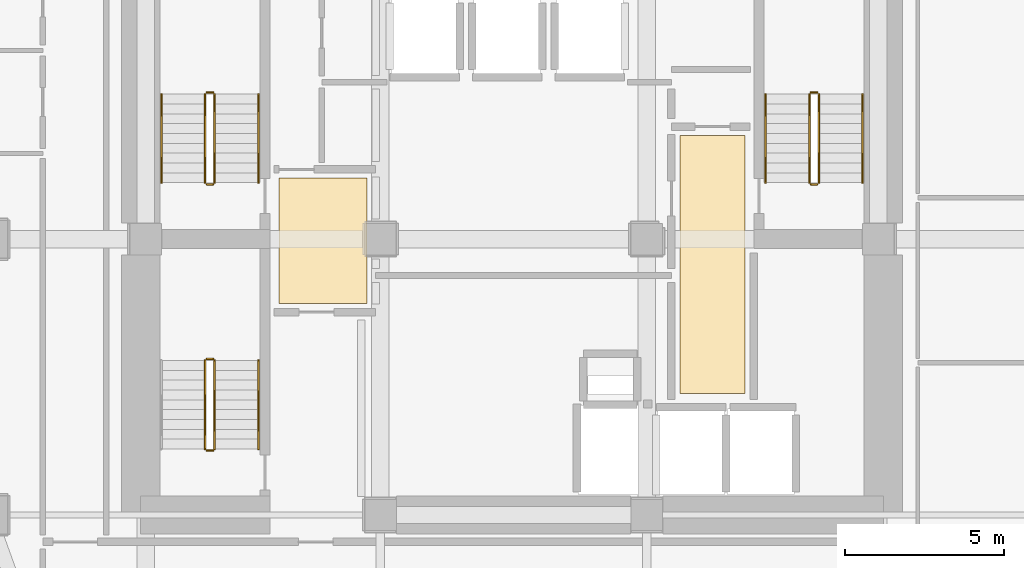
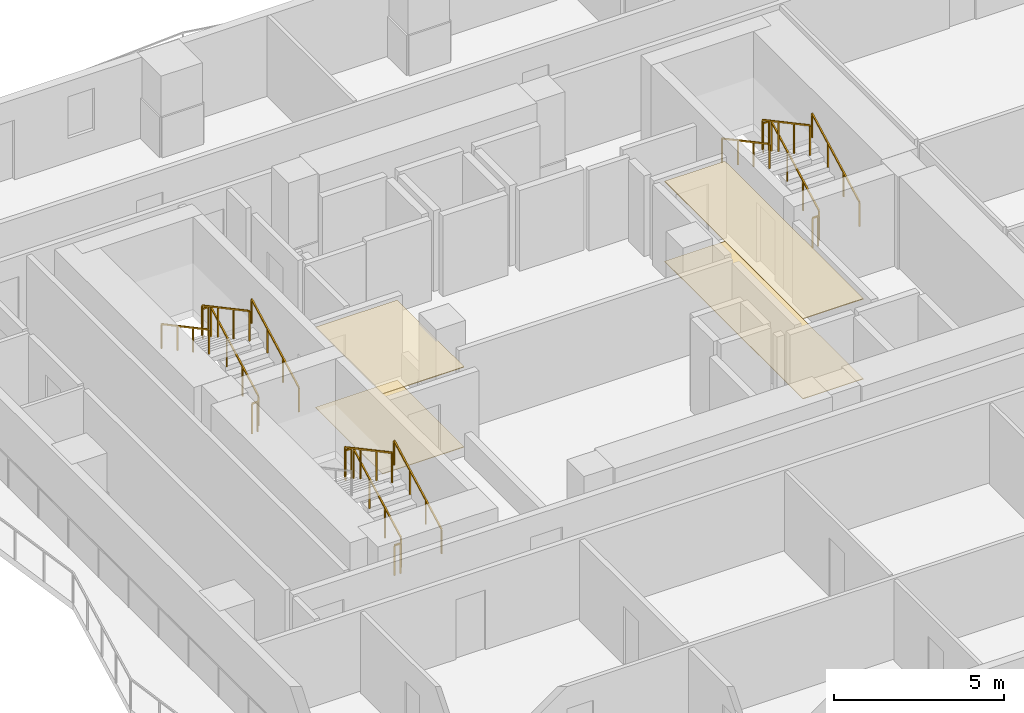
# One storey, part 8 of 9: 17 railings, 4 coverings.
"""IFC4 building model written with IfcOpenShell, lengths in metres."""

import ifcopenshell
import ifcopenshell.guid

model = None  # the IFC model being written
_history = None  # IfcOwnerHistory: only IFC2X3 demands one
_inside = {}  # id of a spatial element -> (the spatial element, [elements in it])
_under = {}  # id of a project, library or spatial element -> (it, [spatial elements below it])
_declared = {}  # id of a project -> (the project, [libraries it declares])
_typed = {}  # id of a type object -> (the type object, [elements of that type])
_made_of = {}  # id of a material, layer set ... -> (it, [elements and type objects made of it])


def new_model(schema):
    """Start an empty IFC model of exactly this schema.

    Asked for "IFC4X3", IfcOpenShell would pick the latest addendum, in which some entities
    have other attributes; the version numbers below select the first issue.
    IFC2X3 requires an IfcOwnerHistory on every rooted entity: one is made here for all.
    """
    global model, _history
    if schema == "IFC4X3":
        model = ifcopenshell.file(schema_version=(4, 3, 0, 0))
    else:
        model = ifcopenshell.file(schema=schema)
    _inside.clear()
    _under.clear()
    _declared.clear()
    _typed.clear()
    _made_of.clear()
    _history = None
    if model.schema == "IFC2X3":
        org = make("IfcOrganization", Name="unknown")
        user = make(
            "IfcPersonAndOrganization",
            ThePerson=make("IfcPerson", FamilyName="unknown"),
            TheOrganization=org,
        )
        app = make(
            "IfcApplication",
            ApplicationDeveloper=org,
            Version="unknown",
            ApplicationFullName="unknown",
            ApplicationIdentifier="unknown",
        )
        _history = make(
            "IfcOwnerHistory",
            OwningUser=user,
            OwningApplication=app,
            ChangeAction="ADDED",
            CreationDate=0,
        )
    return model


def make(cls, **values):
    """One entity of the class cls with the attributes given. An attribute that is None is left unset."""
    return model.create_entity(
        cls, **{name: value for name, value in values.items() if value is not None}
    )


def rooted(cls, **values):
    """An entity with a GlobalId (a new one), such as an element, a storey or a relation."""
    return make(cls, GlobalId=ifcopenshell.guid.new(), OwnerHistory=_history, **values)


def si_unit(unit_type, name, prefix=None):
    """IfcSIUnit, for example si_unit("LENGTHUNIT", "METRE", prefix="MILLI")."""
    return make("IfcSIUnit", UnitType=unit_type, Prefix=prefix, Name=name)


def assignment(units):
    """IfcUnitAssignment: the units of a project."""
    return None if units is None else make("IfcUnitAssignment", Units=units)


def point(xyz):
    """IfcCartesianPoint."""
    return None if xyz is None else make("IfcCartesianPoint", Coordinates=xyz)


def direction(xyz):
    """IfcDirection."""
    return None if xyz is None else make("IfcDirection", DirectionRatios=xyz)


def frame(location, z_axis=None, x_axis=None):
    """IfcAxis2Placement3D, a coordinate frame: its origin and axes. An axis left out is left unset."""
    return make(
        "IfcAxis2Placement3D",
        Location=point(location),
        Axis=direction(z_axis),
        RefDirection=direction(x_axis),
    )


def frame_2d(location, x_axis=None):
    """IfcAxis2Placement2D, a coordinate frame in the plane: its origin and x axis."""
    return make(
        "IfcAxis2Placement2D", Location=point(location), RefDirection=direction(x_axis)
    )


def origin():
    """The frame at (0, 0, 0) with its axes left unset."""
    return frame((0.0, 0.0, 0.0))


def origin_2d():
    """The frame at (0, 0) in the plane with its x axis left unset."""
    return frame_2d((0.0, 0.0))


def place(relative_to, where):
    """IfcLocalPlacement: puts the frame where relative to a parent placement (None: the world)."""
    return make(
        "IfcLocalPlacement", PlacementRelTo=relative_to, RelativePlacement=where
    )


def context(
    kind, dimensions, precision=None, world=None, true_north=None, identifier=None
):
    """IfcGeometricRepresentationContext, for example the 3D "Model" context."""
    return make(
        "IfcGeometricRepresentationContext",
        ContextIdentifier=identifier,
        ContextType=kind,
        CoordinateSpaceDimension=dimensions,
        Precision=precision,
        WorldCoordinateSystem=world,
        TrueNorth=true_north,
    )


def subcontext(parent, identifier, kind, view, scale=None):
    """IfcGeometricRepresentationSubContext, for example "Body" below "Model"."""
    return make(
        "IfcGeometricRepresentationSubContext",
        ContextIdentifier=identifier,
        ContextType=kind,
        ParentContext=parent,
        TargetScale=scale,
        TargetView=view,
    )


def project(units=None, contexts=None):
    """IfcProject with its units and contexts."""
    return rooted(
        "IfcProject",
        Name="project",
        RepresentationContexts=contexts,
        UnitsInContext=assignment(units),
    )


def spatial(cls, under=None, at=None, **own):
    """A site, building, storey or space (cls), placed at a placement, below another one or the project."""
    s = rooted(cls, ObjectPlacement=at, **own)
    if under is not None:
        _under.setdefault(under.id(), (under, []))[1].append(s)
    return s


def polyline(points):
    """IfcPolyline through the points."""
    return make("IfcPolyline", Points=[point(p) for p in points])


def profile(cls, at=None, kind="AREA", **sizes):
    """A parametric profile (cls). Its sizes go by their IFC names, for example OverallWidth=200.0."""
    return make(cls, ProfileType=kind, Position=at, **sizes)


def rectangle(**sizes):
    """IfcRectangleProfileDef."""
    return profile("IfcRectangleProfileDef", **sizes)


def outline(outer, holes=None, kind="AREA"):
    """IfcArbitraryClosedProfileDef: a profile drawn as a closed curve; with holes, ...WithVoids."""
    if holes is None:
        return make("IfcArbitraryClosedProfileDef", ProfileType=kind, OuterCurve=outer)
    return make(
        "IfcArbitraryProfileDefWithVoids",
        ProfileType=kind,
        OuterCurve=outer,
        InnerCurves=holes,
    )


def extrude(swept, where, along, depth):
    """IfcExtrudedAreaSolid: the profile swept, set in the frame where, extruded along a direction by depth."""
    return make(
        "IfcExtrudedAreaSolid",
        SweptArea=swept,
        Position=where,
        ExtrudedDirection=direction(along),
        Depth=depth,
    )


def shape(context_of_items, identifier, shape_type, items):
    """IfcShapeRepresentation: the items that make up one representation, for example the "Body"."""
    return make(
        "IfcShapeRepresentation",
        ContextOfItems=context_of_items,
        RepresentationIdentifier=identifier,
        RepresentationType=shape_type,
        Items=items,
    )


def material(Name=None, Category=None):
    """IfcMaterial."""
    return make("IfcMaterial", Name=Name, Category=Category)


def layer(
    of_material, thickness, ventilated=None, Name=None, Category=None, Priority=None
):
    """IfcMaterialLayer: one layer of a wall or slab, of a material (None: an air gap)."""
    return make(
        "IfcMaterialLayer",
        Material=of_material,
        LayerThickness=thickness,
        IsVentilated=ventilated,
        Name=Name,
        Category=Category,
        Priority=Priority,
    )


def layer_set(layers, Name=None):
    """IfcMaterialLayerSet."""
    return make("IfcMaterialLayerSet", MaterialLayers=layers, LayerSetName=Name)


def made_of(thing, what):
    """Note that an element or type object is made of a material, layer set ...; save() writes the relation."""
    if what is not None:
        _made_of.setdefault(what.id(), (what, []))[1].append(thing)
    return thing


def type_object(cls, material=None, **own):
    """A type object (cls), such as IfcWallType, which elements share."""
    return made_of(rooted(cls, **own), material)


def element(
    cls,
    number,
    at=None,
    inside=None,
    cuts=None,
    type_object=None,
    material=None,
    context=None,
    identifier="Body",
    shape_type=None,
    held_by="IfcProductDefinitionShape",
    body=None,
    shapes=None,
    **own,
):
    """One element of the class cls, such as IfcWall. Its Tag is "e" and its number.

    at: its placement. inside: the storey or other place that contains it. cuts: it is an
    opening in that element (IfcRelVoidsElement). A single representation is given by context,
    identifier, shape_type and body (its items); several are given by shapes. held_by: the class
    of the entity that holds the representations. save() writes the other relations.
    """
    e = rooted(cls, Tag="e%d" % number, ObjectPlacement=at, **own)
    if body is not None:
        shapes = [shape(context, identifier, shape_type, body)]
    if shapes is not None:
        e.Representation = make(held_by, Representations=shapes)
    if inside is not None:
        _inside.setdefault(inside.id(), (inside, []))[1].append(e)
    if cuts is not None:
        rooted(
            "IfcRelVoidsElement", RelatingBuildingElement=cuts, RelatedOpeningElement=e
        )
    if type_object is not None:
        _typed.setdefault(type_object.id(), (type_object, []))[1].append(e)
    return made_of(e, material)


def aggregate(whole, parts):
    """IfcRelAggregates: a whole, such as a stair, and the parts it consists of."""
    return rooted("IfcRelAggregates", RelatingObject=whole, RelatedObjects=parts)


def save(model, path):
    """Write the relations noted so far, then the file.

    IfcRelAggregates (storeys below a building ...), IfcRelContainedInSpatialStructure (elements
    in a storey), IfcRelDefinesByType, IfcRelAssociatesMaterial and IfcRelDeclares: one each for
    every whole, place, type object, material and project.
    """
    for whole, parts in _under.values():
        aggregate(whole, parts)
    for where, things in _inside.values():
        rooted(
            "IfcRelContainedInSpatialStructure",
            RelatedElements=things,
            RelatingStructure=where,
        )
    for kind, things in _typed.values():
        rooted("IfcRelDefinesByType", RelatedObjects=things, RelatingType=kind)
    for what, things in _made_of.values():
        rooted("IfcRelAssociatesMaterial", RelatedObjects=things, RelatingMaterial=what)
    for by, libraries in _declared.values():
        rooted("IfcRelDeclares", RelatingContext=by, RelatedDefinitions=libraries)
    model.write(path)


model = new_model("IFC4")

# Units and contexts
model_context = context("Model", 3, precision=1e-05, world=origin(), true_north=direction((0.0, 1.0)))
body_context = subcontext(model_context, "Body", "Model", "MODEL_VIEW")
ifc_project = project(units=[si_unit("LENGTHUNIT", "METRE"), si_unit("AREAUNIT", "SQUARE_METRE"), si_unit("VOLUMEUNIT", "CUBIC_METRE"), si_unit("PLANEANGLEUNIT", "RADIAN"), si_unit("MASSUNIT", "GRAM", prefix="KILO")], contexts=[model_context])

# Site, building, storey
site_placement = place(None, origin())
site = spatial("IfcSite", under=ifc_project, at=site_placement, CompositionType="ELEMENT")
building_placement = place(site_placement, origin())
building = spatial("IfcBuilding", under=site, at=building_placement, Name="Solanera Arch Residences", CompositionType="ELEMENT")
storey_placement = place(building_placement, frame((0.0, 0.0, 58.52001953125)))
storey = spatial("IfcBuildingStorey", under=building, at=storey_placement, Name="L16", CompositionType="ELEMENT", Elevation=58.52001953125)

# Coverings
ifc_material_1 = material(Name="Porcelain Acoustic Floor Tile", Category="ceramic")
ifc_layer_1 = layer(ifc_material_1, 0.02001953125)
ifc_layer_set_1 = layer_set([ifc_layer_1], Name="Porcelain Acoustic Floor Tile")
covering_type_1 = type_object("IfcCoveringType", Name="Porcelain Acoustic Floor Finish FLR-20", PredefinedType="FLOORING", material=ifc_layer_set_1)
covering_1_placement = place(storey_placement, origin())
element("IfcCovering", 1, at=covering_1_placement, inside=storey, type_object=covering_type_1, Name="L16-FFL-W Porcelain Floor Finish", PredefinedType="FLOORING", context=body_context, shape_type="SweptSolid", body=[
    extrude(outline(polyline([(20.375, 28.675048828125), (17.594970703125, 28.675048828125), (17.594970703125, 32.625), (20.375, 32.625), (20.375, 28.675048828125)])), origin(), (0.0, 0.0, 1.0), 0.02001953125),
])
covering_2_placement = place(storey_placement, origin())
element("IfcCovering", 2, at=covering_2_placement, inside=storey, type_object=covering_type_1, Name="L16-FFL-E Porcelain Floor Finish", PredefinedType="FLOORING", context=body_context, shape_type="SweptSolid", body=[
    extrude(outline(polyline([(32.304931640625, 25.824951171875), (30.25, 25.824951171875), (30.25, 33.97509765625), (32.304931640625, 33.97509765625), (32.304931640625, 25.824951171875)])), origin(), (0.0, 0.0, 1.0), 0.02001953125),
])

# Railings
ifc_material_2 = material(Name="Steel S355 (ASTM A992 / A572 Grade 50)", Category="steel")
railing_type_1 = type_object("IfcRailingType", Name="Stair Guardrail GR-1100", PredefinedType="GUARDRAIL", material=ifc_material_2)
railing_1_placement = place(storey_placement, frame((15.570068359375, 32.47998046875, 0.15087890625)))
element("IfcRailing", 3, at=railing_1_placement, inside=storey, type_object=railing_type_1, Name="L16 ST-T1 stair guard 1", PredefinedType="GUARDRAIL", context=body_context, shape_type="SweptSolid", body=[
    extrude(rectangle(XDim=0.048095703125, YDim=0.048095703125, at=origin_2d()), frame((0.0, 0.0, 1.076171875), z_axis=(0.0, 0.881548766853, 0.472092969298), x_axis=(-1.0, 0.0, 0.0)), (0.0, 0.0, 1.0), 3.1650390625),
    extrude(rectangle(XDim=0.0419921875, YDim=0.0419921875, at=origin_2d()), origin(), (0.0, 0.0, 1.0), 1.052001953125),
    extrude(rectangle(XDim=0.0419921875, YDim=0.0419921875, at=origin_2d()), frame((0.0, 0.929931640625, 0.498046875)), (0.0, 0.0, 1.0), 1.052001953125),
    extrude(rectangle(XDim=0.0419921875, YDim=0.0419921875, at=origin_2d()), frame((0.0, 1.860107421875, 0.99609375)), (0.0, 0.0, 1.0), 1.052001953125),
    extrude(rectangle(XDim=0.0419921875, YDim=0.0419921875, at=origin_2d()), frame((0.0, 2.7900390625, 1.494140625)), (0.0, 0.0, 1.0), 1.052001953125),
])
railing_2_placement = place(storey_placement, frame((15.52001953125, 35.320068359375, 1.64501953125)))
element("IfcRailing", 4, at=railing_2_placement, inside=storey, type_object=railing_type_1, Name="L16 ST-T1 stair guard 2", PredefinedType="GUARDRAIL", context=body_context, shape_type="SweptSolid", body=[
    extrude(rectangle(XDim=0.048095703125, YDim=0.048095703125, at=origin_2d()), frame((0.0, 0.0, 1.076171875), z_axis=(-1.0, 0.0, 0.0), x_axis=(0.0, -1.0, 0.0)), (0.0, 0.0, 1.0), 0.199951171875),
    extrude(rectangle(XDim=0.0419921875, YDim=0.0419921875, at=origin_2d()), origin(), (0.0, 0.0, 1.0), 1.052001953125),
    extrude(rectangle(XDim=0.0419921875, YDim=0.0419921875, at=origin_2d()), frame((-0.199951171875, 0.0, 0.0)), (0.0, 0.0, 1.0), 1.052001953125),
])
railing_3_placement = place(storey_placement, frame((15.27001953125, 35.27001953125, 1.81103515625)))
element("IfcRailing", 5, at=railing_3_placement, inside=storey, type_object=railing_type_1, Name="L16 ST-T1 stair guard 3", PredefinedType="GUARDRAIL", context=body_context, shape_type="SweptSolid", body=[
    extrude(rectangle(XDim=0.048095703125, YDim=0.048095703125, at=origin_2d()), frame((0.0, 0.0, 1.076171875), z_axis=(0.0, -0.881580869306, 0.472033018838), x_axis=(1.0, 0.0, 0.0)), (0.0, 0.0, 1.0), 3.164794921875),
    extrude(rectangle(XDim=0.0419921875, YDim=0.0419921875, at=origin_2d()), origin(), (0.0, 0.0, 1.0), 1.052001953125),
    extrude(rectangle(XDim=0.0419921875, YDim=0.0419921875, at=origin_2d()), frame((0.0, -0.929931640625, 0.498046875)), (0.0, 0.0, 1.0), 1.052001953125),
    extrude(rectangle(XDim=0.0419921875, YDim=0.0419921875, at=origin_2d()), frame((0.0, -1.860107421875, 0.995849609375)), (0.0, 0.0, 1.0), 1.052001953125),
    extrude(rectangle(XDim=0.0419921875, YDim=0.0419921875, at=origin_2d()), frame((0.0, -2.7900390625, 1.493896484375)), (0.0, 0.0, 1.0), 1.052001953125),
])
railing_4_placement = place(storey_placement, frame((15.52001953125, 32.429931640625, -0.01513671875)))
element("IfcRailing", 6, at=railing_4_placement, inside=storey, type_object=railing_type_1, Name="L16 ST-T1 stair guard 4", PredefinedType="GUARDRAIL", context=body_context, shape_type="SweptSolid", body=[
    extrude(rectangle(XDim=0.048095703125, YDim=0.048095703125, at=origin_2d()), frame((0.0, 0.0, 1.076171875), z_axis=(-1.0, 0.0, 0.0), x_axis=(0.0, -1.0, 0.0)), (0.0, 0.0, 1.0), 0.199951171875),
    extrude(rectangle(XDim=0.0419921875, YDim=0.0419921875, at=origin_2d()), origin(), (0.0, 0.0, 1.0), 1.052001953125),
    extrude(rectangle(XDim=0.0419921875, YDim=0.0419921875, at=origin_2d()), frame((-0.199951171875, 0.0, 0.0)), (0.0, 0.0, 1.0), 1.052001953125),
])
railing_5_placement = place(storey_placement, frame((34.6298828125, 32.47998046875, 0.15087890625)))
element("IfcRailing", 7, at=railing_5_placement, inside=storey, type_object=railing_type_1, Name="L16 ST-T2 stair guard 1", PredefinedType="GUARDRAIL", context=body_context, shape_type="SweptSolid", body=[
    extrude(rectangle(XDim=0.048095703125, YDim=0.048095703125, at=origin_2d()), frame((0.0, 0.0, 1.076171875), z_axis=(0.0, 0.881548766853, 0.472092969298), x_axis=(-1.0, 0.0, 0.0)), (0.0, 0.0, 1.0), 3.1650390625),
    extrude(rectangle(XDim=0.0419921875, YDim=0.0419921875, at=origin_2d()), origin(), (0.0, 0.0, 1.0), 1.052001953125),
    extrude(rectangle(XDim=0.0419921875, YDim=0.0419921875, at=origin_2d()), frame((0.0, 0.929931640625, 0.498046875)), (0.0, 0.0, 1.0), 1.052001953125),
    extrude(rectangle(XDim=0.0419921875, YDim=0.0419921875, at=origin_2d()), frame((0.0, 1.860107421875, 0.99609375)), (0.0, 0.0, 1.0), 1.052001953125),
    extrude(rectangle(XDim=0.0419921875, YDim=0.0419921875, at=origin_2d()), frame((0.0, 2.7900390625, 1.494140625)), (0.0, 0.0, 1.0), 1.052001953125),
])
railing_6_placement = place(storey_placement, frame((34.580078125, 35.320068359375, 1.64501953125)))
element("IfcRailing", 8, at=railing_6_placement, inside=storey, type_object=railing_type_1, Name="L16 ST-T2 stair guard 2", PredefinedType="GUARDRAIL", context=body_context, shape_type="SweptSolid", body=[
    extrude(rectangle(XDim=0.048095703125, YDim=0.048095703125, at=origin_2d()), frame((0.0, 0.0, 1.076171875), z_axis=(-1.0, 0.0, 0.0), x_axis=(0.0, -1.0, 0.0)), (0.0, 0.0, 1.0), 0.2001953125),
    extrude(rectangle(XDim=0.0419921875, YDim=0.0419921875, at=origin_2d()), origin(), (0.0, 0.0, 1.0), 1.052001953125),
    extrude(rectangle(XDim=0.0419921875, YDim=0.0419921875, at=origin_2d()), frame((-0.2001953125, 0.0, 0.0)), (0.0, 0.0, 1.0), 1.052001953125),
])
railing_7_placement = place(storey_placement, frame((34.330078125, 35.27001953125, 1.81103515625)))
element("IfcRailing", 9, at=railing_7_placement, inside=storey, type_object=railing_type_1, Name="L16 ST-T2 stair guard 3", PredefinedType="GUARDRAIL", context=body_context, shape_type="SweptSolid", body=[
    extrude(rectangle(XDim=0.048095703125, YDim=0.048095703125, at=origin_2d()), frame((0.0, 0.0, 1.076171875), z_axis=(0.0, -0.881580869306, 0.472033018838), x_axis=(1.0, 0.0, 0.0)), (0.0, 0.0, 1.0), 3.164794921875),
    extrude(rectangle(XDim=0.0419921875, YDim=0.0419921875, at=origin_2d()), origin(), (0.0, 0.0, 1.0), 1.052001953125),
    extrude(rectangle(XDim=0.0419921875, YDim=0.0419921875, at=origin_2d()), frame((0.0, -0.929931640625, 0.498046875)), (0.0, 0.0, 1.0), 1.052001953125),
    extrude(rectangle(XDim=0.0419921875, YDim=0.0419921875, at=origin_2d()), frame((0.0, -1.860107421875, 0.995849609375)), (0.0, 0.0, 1.0), 1.052001953125),
    extrude(rectangle(XDim=0.0419921875, YDim=0.0419921875, at=origin_2d()), frame((0.0, -2.7900390625, 1.493896484375)), (0.0, 0.0, 1.0), 1.052001953125),
])
railing_8_placement = place(storey_placement, frame((34.580078125, 32.429931640625, -0.01513671875)))
element("IfcRailing", 10, at=railing_8_placement, inside=storey, type_object=railing_type_1, Name="L16 ST-T2 stair guard 4", PredefinedType="GUARDRAIL", context=body_context, shape_type="SweptSolid", body=[
    extrude(rectangle(XDim=0.048095703125, YDim=0.048095703125, at=origin_2d()), frame((0.0, 0.0, 1.076171875), z_axis=(-1.0, 0.0, 0.0), x_axis=(0.0, -1.0, 0.0)), (0.0, 0.0, 1.0), 0.2001953125),
    extrude(rectangle(XDim=0.0419921875, YDim=0.0419921875, at=origin_2d()), origin(), (0.0, 0.0, 1.0), 1.052001953125),
    extrude(rectangle(XDim=0.0419921875, YDim=0.0419921875, at=origin_2d()), frame((-0.2001953125, 0.0, 0.0)), (0.0, 0.0, 1.0), 1.052001953125),
])
railing_9_placement = place(storey_placement, frame((15.570068359375, 24.080078125, 0.15087890625)))
element("IfcRailing", 11, at=railing_9_placement, inside=storey, type_object=railing_type_1, Name="L16 ST-T3 stair guard 1", PredefinedType="GUARDRAIL", context=body_context, shape_type="SweptSolid", body=[
    extrude(rectangle(XDim=0.048095703125, YDim=0.048095703125, at=origin_2d()), frame((0.0, 0.0, 1.076171875), z_axis=(0.0, 0.881548766853, 0.472092969298), x_axis=(-1.0, 0.0, 0.0)), (0.0, 0.0, 1.0), 3.1650390625),
    extrude(rectangle(XDim=0.0419921875, YDim=0.0419921875, at=origin_2d()), origin(), (0.0, 0.0, 1.0), 1.052001953125),
    extrude(rectangle(XDim=0.0419921875, YDim=0.0419921875, at=origin_2d()), frame((0.0, 0.929931640625, 0.498046875)), (0.0, 0.0, 1.0), 1.052001953125),
    extrude(rectangle(XDim=0.0419921875, YDim=0.0419921875, at=origin_2d()), frame((0.0, 1.860107421875, 0.99609375)), (0.0, 0.0, 1.0), 1.052001953125),
    extrude(rectangle(XDim=0.0419921875, YDim=0.0419921875, at=origin_2d()), frame((0.0, 2.7900390625, 1.494140625)), (0.0, 0.0, 1.0), 1.052001953125),
])
railing_10_placement = place(storey_placement, frame((15.52001953125, 26.919921875, 1.64501953125)))
element("IfcRailing", 12, at=railing_10_placement, inside=storey, type_object=railing_type_1, Name="L16 ST-T3 stair guard 2", PredefinedType="GUARDRAIL", context=body_context, shape_type="SweptSolid", body=[
    extrude(rectangle(XDim=0.048095703125, YDim=0.048095703125, at=origin_2d()), frame((0.0, 0.0, 1.076171875), z_axis=(-1.0, 0.0, 0.0), x_axis=(0.0, -1.0, 0.0)), (0.0, 0.0, 1.0), 0.199951171875),
    extrude(rectangle(XDim=0.0419921875, YDim=0.0419921875, at=origin_2d()), origin(), (0.0, 0.0, 1.0), 1.052001953125),
    extrude(rectangle(XDim=0.0419921875, YDim=0.0419921875, at=origin_2d()), frame((-0.199951171875, 0.0, 0.0)), (0.0, 0.0, 1.0), 1.052001953125),
])
railing_11_placement = place(storey_placement, frame((15.27001953125, 26.8701171875, 1.81103515625)))
element("IfcRailing", 13, at=railing_11_placement, inside=storey, type_object=railing_type_1, Name="L16 ST-T3 stair guard 3", PredefinedType="GUARDRAIL", context=body_context, shape_type="SweptSolid", body=[
    extrude(rectangle(XDim=0.048095703125, YDim=0.048095703125, at=origin_2d()), frame((0.0, 0.0, 1.076171875), z_axis=(0.0, -0.881580869306, 0.472033018838), x_axis=(1.0, 0.0, 0.0)), (0.0, 0.0, 1.0), 3.164794921875),
    extrude(rectangle(XDim=0.0419921875, YDim=0.0419921875, at=origin_2d()), origin(), (0.0, 0.0, 1.0), 1.052001953125),
    extrude(rectangle(XDim=0.0419921875, YDim=0.0419921875, at=origin_2d()), frame((0.0, -0.929931640625, 0.498046875)), (0.0, 0.0, 1.0), 1.052001953125),
    extrude(rectangle(XDim=0.0419921875, YDim=0.0419921875, at=origin_2d()), frame((0.0, -1.860107421875, 0.995849609375)), (0.0, 0.0, 1.0), 1.052001953125),
    extrude(rectangle(XDim=0.0419921875, YDim=0.0419921875, at=origin_2d()), frame((0.0, -2.7900390625, 1.493896484375)), (0.0, 0.0, 1.0), 1.052001953125),
])
railing_12_placement = place(storey_placement, frame((15.52001953125, 24.030029296875, -0.01513671875)))
element("IfcRailing", 14, at=railing_12_placement, inside=storey, type_object=railing_type_1, Name="L16 ST-T3 stair guard 4", PredefinedType="GUARDRAIL", context=body_context, shape_type="SweptSolid", body=[
    extrude(rectangle(XDim=0.048095703125, YDim=0.048095703125, at=origin_2d()), frame((0.0, 0.0, 1.076171875), z_axis=(-1.0, 0.0, 0.0), x_axis=(0.0, -1.0, 0.0)), (0.0, 0.0, 1.0), 0.199951171875),
    extrude(rectangle(XDim=0.0419921875, YDim=0.0419921875, at=origin_2d()), origin(), (0.0, 0.0, 1.0), 1.052001953125),
    extrude(rectangle(XDim=0.0419921875, YDim=0.0419921875, at=origin_2d()), frame((-0.199951171875, 0.0, 0.0)), (0.0, 0.0, 1.0), 1.052001953125),
])
ifc_material_3 = material(Name="Steel S355 (ASTM A992 / A572 Grade 50)", Category="steel")
railing_type_2 = type_object("IfcRailingType", Name="Stair Wall Handrail HR-920", PredefinedType="HANDRAIL", material=ifc_material_3)
railing_13_placement = place(storey_placement, frame((16.949951171875, 32.47998046875, 0.166015625)))
element("IfcRailing", 15, at=railing_13_placement, inside=storey, type_object=railing_type_2, Name="L16 ST-T1 stair handrail 1", PredefinedType="HANDRAIL", context=body_context, shape_type="SweptSolid", body=[
    extrude(rectangle(XDim=0.048095703125, YDim=0.048095703125, at=origin_2d()), frame((0.0, 0.0, 0.8759765625), z_axis=(0.0, 0.881580869306, 0.472033018838), x_axis=(-1.0, 0.0, 0.0)), (0.0, 0.0, 1.0), 3.164794921875),
    extrude(rectangle(XDim=0.0419921875, YDim=0.0419921875, at=origin_2d()), origin(), (0.0, 0.0, 1.0), 0.851806640625),
    extrude(rectangle(XDim=0.0419921875, YDim=0.0419921875, at=origin_2d()), frame((0.0, 0.929931640625, 0.498046875)), (0.0, 0.0, 1.0), 0.851806640625),
    extrude(rectangle(XDim=0.0419921875, YDim=0.0419921875, at=origin_2d()), frame((0.0, 1.860107421875, 0.995849609375)), (0.0, 0.0, 1.0), 0.851806640625),
    extrude(rectangle(XDim=0.0419921875, YDim=0.0419921875, at=origin_2d()), frame((0.0, 2.7900390625, 1.493896484375)), (0.0, 0.0, 1.0), 0.851806640625),
])
railing_14_placement = place(storey_placement, frame((13.889892578125, 35.27001953125, 1.825927734375)))
element("IfcRailing", 16, at=railing_14_placement, inside=storey, type_object=railing_type_2, Name="L16 ST-T1 stair handrail 2", PredefinedType="HANDRAIL", context=body_context, shape_type="SweptSolid", body=[
    extrude(rectangle(XDim=0.048095703125, YDim=0.048095703125, at=origin_2d()), frame((0.0, 0.0, 0.8759765625), z_axis=(0.0, -0.881548766853, 0.472092969298), x_axis=(1.0, 0.0, 0.0)), (0.0, 0.0, 1.0), 3.1650390625),
    extrude(rectangle(XDim=0.0419921875, YDim=0.0419921875, at=origin_2d()), origin(), (0.0, 0.0, 1.0), 0.851806640625),
    extrude(rectangle(XDim=0.0419921875, YDim=0.0419921875, at=origin_2d()), frame((0.0, -0.929931640625, 0.498046875)), (0.0, 0.0, 1.0), 0.851806640625),
    extrude(rectangle(XDim=0.0419921875, YDim=0.0419921875, at=origin_2d()), frame((0.0, -1.860107421875, 0.99609375)), (0.0, 0.0, 1.0), 0.851806640625),
    extrude(rectangle(XDim=0.0419921875, YDim=0.0419921875, at=origin_2d()), frame((0.0, -2.7900390625, 1.494140625)), (0.0, 0.0, 1.0), 0.851806640625),
])
railing_15_placement = place(storey_placement, frame((36.010009765625, 32.47998046875, 0.166015625)))
element("IfcRailing", 17, at=railing_15_placement, inside=storey, type_object=railing_type_2, Name="L16 ST-T2 stair handrail 1", PredefinedType="HANDRAIL", context=body_context, shape_type="SweptSolid", body=[
    extrude(rectangle(XDim=0.048095703125, YDim=0.048095703125, at=origin_2d()), frame((0.0, 0.0, 0.8759765625), z_axis=(0.0, 0.881580869306, 0.472033018838), x_axis=(-1.0, 0.0, 0.0)), (0.0, 0.0, 1.0), 3.164794921875),
    extrude(rectangle(XDim=0.0419921875, YDim=0.0419921875, at=origin_2d()), origin(), (0.0, 0.0, 1.0), 0.851806640625),
    extrude(rectangle(XDim=0.0419921875, YDim=0.0419921875, at=origin_2d()), frame((0.0, 0.929931640625, 0.498046875)), (0.0, 0.0, 1.0), 0.851806640625),
    extrude(rectangle(XDim=0.0419921875, YDim=0.0419921875, at=origin_2d()), frame((0.0, 1.860107421875, 0.995849609375)), (0.0, 0.0, 1.0), 0.851806640625),
    extrude(rectangle(XDim=0.0419921875, YDim=0.0419921875, at=origin_2d()), frame((0.0, 2.7900390625, 1.493896484375)), (0.0, 0.0, 1.0), 0.851806640625),
])
railing_16_placement = place(storey_placement, frame((32.949951171875, 35.27001953125, 1.825927734375)))
element("IfcRailing", 18, at=railing_16_placement, inside=storey, type_object=railing_type_2, Name="L16 ST-T2 stair handrail 2", PredefinedType="HANDRAIL", context=body_context, shape_type="SweptSolid", body=[
    extrude(rectangle(XDim=0.048095703125, YDim=0.048095703125, at=origin_2d()), frame((0.0, 0.0, 0.8759765625), z_axis=(0.0, -0.881548766853, 0.472092969298), x_axis=(1.0, 0.0, 0.0)), (0.0, 0.0, 1.0), 3.1650390625),
    extrude(rectangle(XDim=0.0419921875, YDim=0.0419921875, at=origin_2d()), origin(), (0.0, 0.0, 1.0), 0.851806640625),
    extrude(rectangle(XDim=0.0419921875, YDim=0.0419921875, at=origin_2d()), frame((0.0, -0.929931640625, 0.498046875)), (0.0, 0.0, 1.0), 0.851806640625),
    extrude(rectangle(XDim=0.0419921875, YDim=0.0419921875, at=origin_2d()), frame((0.0, -1.860107421875, 0.99609375)), (0.0, 0.0, 1.0), 0.851806640625),
    extrude(rectangle(XDim=0.0419921875, YDim=0.0419921875, at=origin_2d()), frame((0.0, -2.7900390625, 1.494140625)), (0.0, 0.0, 1.0), 0.851806640625),
])
railing_17_placement = place(storey_placement, frame((16.949951171875, 24.080078125, 0.166015625)))
element("IfcRailing", 19, at=railing_17_placement, inside=storey, type_object=railing_type_2, Name="L16 ST-T3 stair handrail 1", PredefinedType="HANDRAIL", context=body_context, shape_type="SweptSolid", body=[
    extrude(rectangle(XDim=0.048095703125, YDim=0.048095703125, at=origin_2d()), frame((0.0, 0.0, 0.8759765625), z_axis=(0.0, 0.881580869306, 0.472033018838), x_axis=(-1.0, 0.0, 0.0)), (0.0, 0.0, 1.0), 3.164794921875),
    extrude(rectangle(XDim=0.0419921875, YDim=0.0419921875, at=origin_2d()), origin(), (0.0, 0.0, 1.0), 0.851806640625),
    extrude(rectangle(XDim=0.0419921875, YDim=0.0419921875, at=origin_2d()), frame((0.0, 0.929931640625, 0.498046875)), (0.0, 0.0, 1.0), 0.851806640625),
    extrude(rectangle(XDim=0.0419921875, YDim=0.0419921875, at=origin_2d()), frame((0.0, 1.860107421875, 0.995849609375)), (0.0, 0.0, 1.0), 0.851806640625),
    extrude(rectangle(XDim=0.0419921875, YDim=0.0419921875, at=origin_2d()), frame((0.0, 2.7900390625, 1.493896484375)), (0.0, 0.0, 1.0), 0.851806640625),
])

# Coverings
ifc_material_4 = material(Name="Mineral Fibre Acoustic Ceiling Board", Category="gypsum")
ifc_layer_2 = layer(ifc_material_4, 0.02490234375)
ifc_layer_set_2 = layer_set([ifc_layer_2], Name="Mineral Fibre Acoustic Ceiling Board")
covering_type_2 = type_object("IfcCoveringType", Name="Suspended Acoustic Ceiling Board CLG-25", PredefinedType="CEILING", material=ifc_layer_set_2)
covering_3_placement = place(storey_placement, frame((0.0, 0.0, 2.875)))
element("IfcCovering", 20, at=covering_3_placement, inside=storey, type_object=covering_type_2, Name="L16-FFL-W Acoustic Ceiling", PredefinedType="CEILING", context=body_context, shape_type="SweptSolid", body=[
    extrude(outline(polyline([(20.375, 28.675048828125), (17.594970703125, 28.675048828125), (17.594970703125, 32.625), (20.375, 32.625), (20.375, 28.675048828125)])), origin(), (0.0, 0.0, 1.0), 0.02490234375),
])
covering_4_placement = place(storey_placement, frame((0.0, 0.0, 2.875)))
element("IfcCovering", 21, at=covering_4_placement, inside=storey, type_object=covering_type_2, Name="L16-FFL-E Acoustic Ceiling", PredefinedType="CEILING", context=body_context, shape_type="SweptSolid", body=[
    extrude(outline(polyline([(32.304931640625, 25.824951171875), (30.25, 25.824951171875), (30.25, 33.97509765625), (32.304931640625, 33.97509765625), (32.304931640625, 25.824951171875)])), origin(), (0.0, 0.0, 1.0), 0.02490234375),
])

save(model, "model.ifc")
